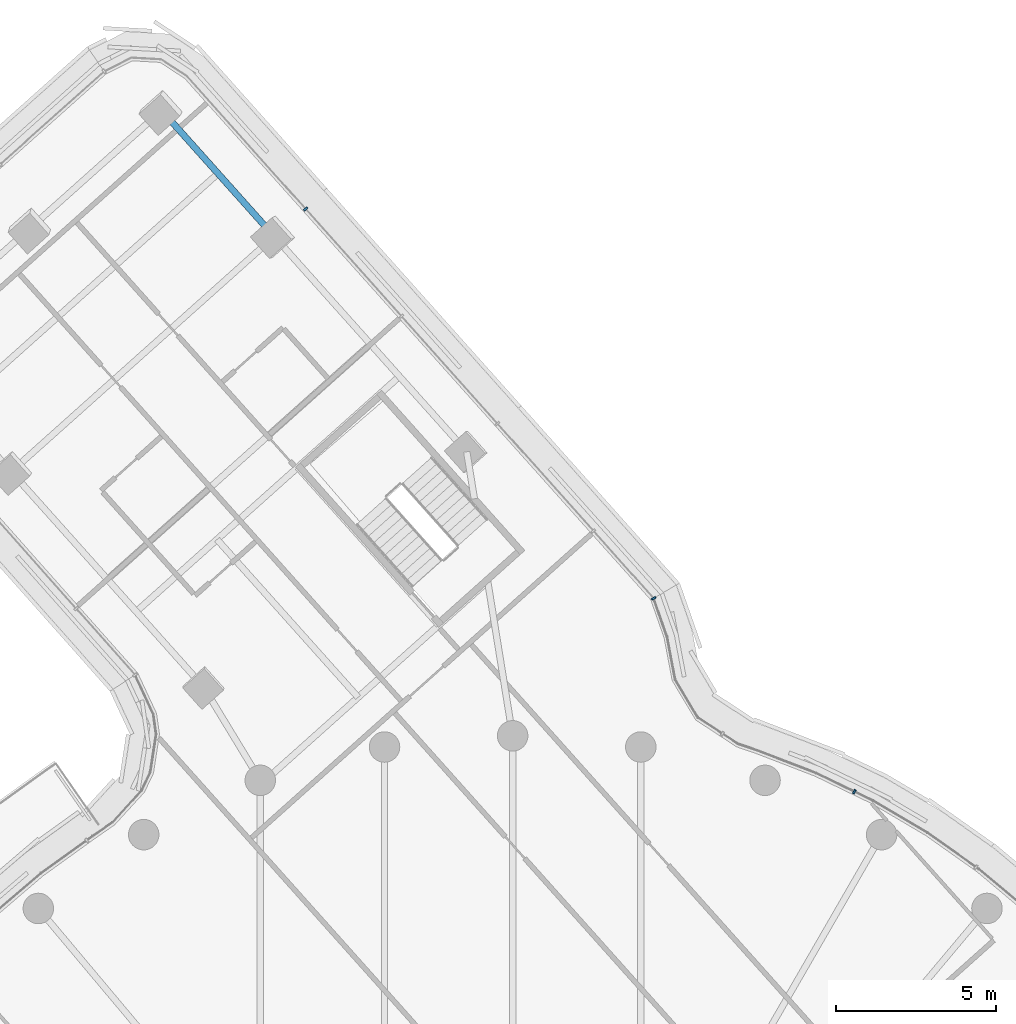
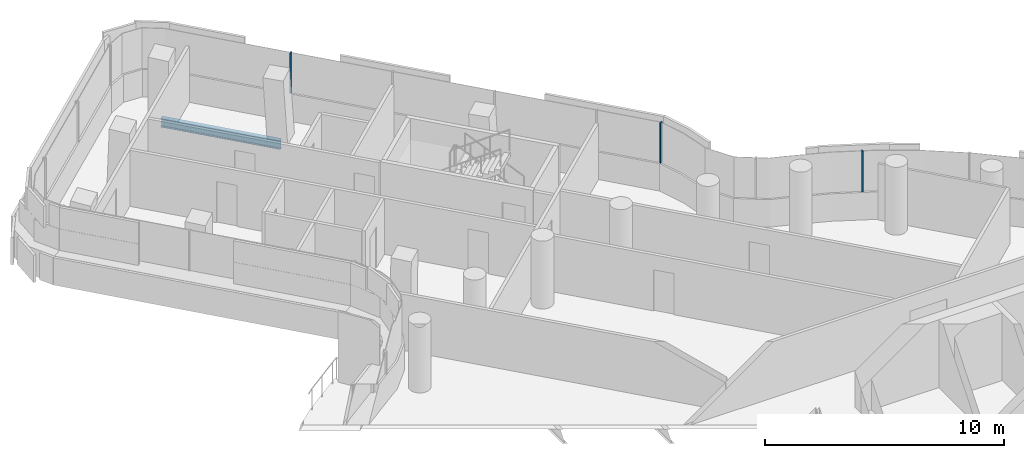
# One storey, part 17 of 33: 3 members, 1 beam, 2 elements without a shape of their own.
"""IFC4 building model written with IfcOpenShell, lengths in metres."""

from ifc_helpers import new_model, si_unit, direction, frame, origin, origin_2d, place, context, subcontext, project, spatial, rectangle, i_section, extrude, material, layer, layer_set, material_profile, profile_set, type_object, element, aggregate, save


model = new_model("IFC4")

# Units and contexts
model_context = context("Model", 3, precision=1e-05, world=origin(), true_north=direction((0.0, 1.0)))
body_context = subcontext(model_context, "Body", "Model", "MODEL_VIEW")
ifc_project = project(units=[si_unit("LENGTHUNIT", "METRE"), si_unit("AREAUNIT", "SQUARE_METRE"), si_unit("VOLUMEUNIT", "CUBIC_METRE"), si_unit("PLANEANGLEUNIT", "RADIAN"), si_unit("MASSUNIT", "GRAM", prefix="KILO")], contexts=[model_context])

# Site, building, storey
site_placement = place(None, origin())
site = spatial("IfcSite", under=ifc_project, at=site_placement, CompositionType="ELEMENT")
building_placement = place(site_placement, origin())
building = spatial("IfcBuilding", under=site, at=building_placement, Name="Tamarind Cross Interchange Tower", CompositionType="ELEMENT")
storey_placement = place(building_placement, frame((0.0, 0.0, 186.10009765625)))
storey = spatial("IfcBuildingStorey", under=building, at=storey_placement, Name="L46", CompositionType="ELEMENT", Elevation=186.10009765625)

# Beam
ifc_material_1 = material(Name="Steel Q355B", Category="steel")
ifc_material_profile_1 = material_profile(ifc_material_1, i_section(OverallWidth=0.198974609375, OverallDepth=0.446044921875, WebThickness=0.008056640625, FlangeThickness=0.011962890625, FilletRadius=0.012939453125, at=origin_2d()), Name="HN 446x199x8x12")
ifc_profile_set_1 = profile_set([ifc_material_profile_1], Name="Steel Q355B")
beam_type = type_object("IfcBeamType", Name="Composite beam HN 446x199x8x12 Q355B", PredefinedType="BEAM", material=ifc_profile_set_1)
beam_placement = place(storey_placement, frame((-10.9375, 42.489501953125, -0.363037109375), z_axis=(0.666424773134, -0.745572278021, 0.0), x_axis=(0.745572278021, 0.666424773134, 0.0)))
element("IfcBeam", 1, at=beam_placement, inside=storey, type_object=beam_type, Name="Beam N-edgeem5", PredefinedType="BEAM", context=body_context, shape_type="SweptSolid", body=[
    extrude(i_section(OverallWidth=0.198974609375, OverallDepth=0.446044921875, WebThickness=0.008056640625, FlangeThickness=0.011962890625, FilletRadius=0.012939453125, at=origin_2d()), origin(), (0.0, 0.0, 1.0), 5.265380859375),
])

# Curtain wall, member
ifc_material_2 = material(Name="Aluminium 6063-T6", Category="aluminium")
ifc_layer = layer(ifc_material_2, 0.139892578125)
ifc_layer_set = layer_set([ifc_layer], Name="Aluminium 6063-T6")
curtain_wall_type = type_object("IfcCurtainWallType", Name="Hotel curtain wall, 4.5 m bays", PredefinedType="NOTDEFINED", material=ifc_layer_set)
curtain_wall_1_placement = place(storey_placement, origin())
curtain_wall_1 = element("IfcCurtainWall", 2, at=curtain_wall_1_placement, inside=storey, type_object=curtain_wall_type, Name="CWS-L46-06", PredefinedType="NOTDEFINED")
ifc_material_profile_2 = material_profile(ifc_material_2, rectangle(XDim=0.06005859375, YDim=0.139892578125, at=origin_2d()), Name="Mullion CW2")
ifc_profile_set_2 = profile_set([ifc_material_profile_2], Name="Aluminium 6063-T6")
member_type = type_object("IfcMemberType", Name="Mullion CW2", PredefinedType="MULLION", material=ifc_profile_set_2)
member_1_placement = place(storey_placement, frame((10.651611328125, 21.258544921875, 1.39990234375), z_axis=(0.0, 0.0, 1.0), x_axis=(-0.900272776334, 0.435326231914, 0.0)))
member_1 = element("IfcMember", 3, at=member_1_placement, type_object=member_type, Name="CWM-L46-06-12", PredefinedType="MULLION", context=body_context, shape_type="SweptSolid", body=[
    extrude(rectangle(XDim=0.06005859375, YDim=0.139892578125, at=origin_2d()), origin(), (0.0, 0.0, 1.0), 2.06005859375),
])
aggregate(curtain_wall_1, [member_1])

# Curtain wall, members
curtain_wall_2_placement = place(storey_placement, origin())
curtain_wall_2 = element("IfcCurtainWall", 4, at=curtain_wall_2_placement, inside=storey, type_object=curtain_wall_type, Name="CWS-L46-07", PredefinedType="NOTDEFINED")
member_2_placement = place(storey_placement, frame((4.39501953125, 27.286865234375, 1.39990234375), z_axis=(0.0, 0.0, 1.0), x_axis=(-0.508169833705, 0.861256883927, 0.0)))
member_2 = element("IfcMember", 5, at=member_2_placement, type_object=member_type, Name="CWM-L46-07-00", PredefinedType="MULLION", context=body_context, shape_type="SweptSolid", body=[
    extrude(rectangle(XDim=0.06005859375, YDim=0.139892578125, at=origin_2d()), origin(), (0.0, 0.0, 1.0), 2.06005859375),
])
member_3_placement = place(storey_placement, frame((-6.452880859375, 39.4228515625, 1.39990234375), z_axis=(0.0, 0.0, 1.0), x_axis=(-0.666428375667, 0.745569057905, 0.0)))
member_3 = element("IfcMember", 6, at=member_3_placement, type_object=member_type, Name="CWM-L46-07-04", PredefinedType="MULLION", context=body_context, shape_type="SweptSolid", body=[
    extrude(rectangle(XDim=0.06005859375, YDim=0.139892578125, at=origin_2d()), origin(), (0.0, 0.0, 1.0), 2.06005859375),
])
aggregate(curtain_wall_2, [member_2, member_3])

save(model, "model.ifc")
